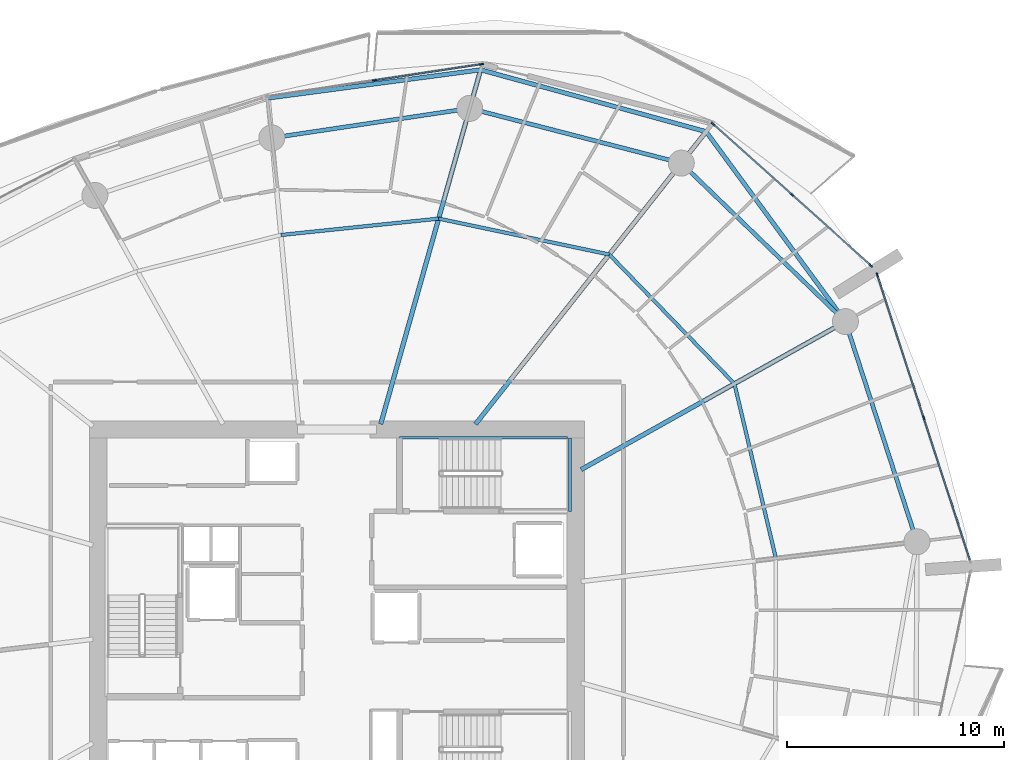
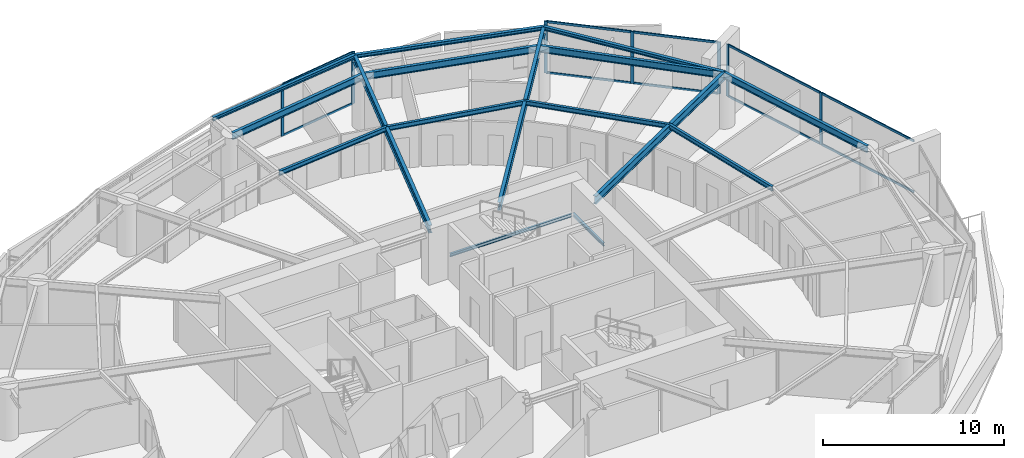
# One storey, part 9 of 23: 17 members, 16 beams, 3 elements without a shape of their own.
"""IFC4 building model written with IfcOpenShell, lengths in metres."""

from ifc_helpers import new_model, si_unit, direction, frame, origin, origin_2d, place, context, subcontext, project, spatial, rectangle, i_section, extrude, material, layer, layer_set, material_profile, profile_set, type_object, element, aggregate, save


model = new_model("IFC4")

# Units and contexts
model_context = context("Model", 3, precision=1e-05, world=origin(), true_north=direction((0.0, 1.0)))
body_context = subcontext(model_context, "Body", "Model", "MODEL_VIEW")
ifc_project = project(units=[si_unit("LENGTHUNIT", "METRE"), si_unit("AREAUNIT", "SQUARE_METRE"), si_unit("VOLUMEUNIT", "CUBIC_METRE"), si_unit("PLANEANGLEUNIT", "RADIAN"), si_unit("MASSUNIT", "GRAM", prefix="KILO")], contexts=[model_context])

# Site, building, storey
site_placement = place(None, origin())
site = spatial("IfcSite", under=ifc_project, at=site_placement, CompositionType="ELEMENT")
building_placement = place(site_placement, origin())
building = spatial("IfcBuilding", under=site, at=building_placement, Name="Kazma Halo Residences", CompositionType="ELEMENT")
storey_placement = place(building_placement, frame((0.0, 0.0, 105.14990234375)))
storey = spatial("IfcBuildingStorey", under=building, at=storey_placement, Name="L26", CompositionType="ELEMENT", Elevation=105.14990234375)

# Beams
ifc_material_1 = material(Name="Steel S355", Category="steel")
ifc_material_profile_1 = material_profile(ifc_material_1, i_section(OverallWidth=0.201904296875, OverallDepth=0.2470703125, WebThickness=0.00732421875, FlangeThickness=0.010986328125, FilletRadius=0.011962890625, at=origin_2d()), Name="W250x49.1")
ifc_profile_set_1 = profile_set([ifc_material_profile_1], Name="Steel S355")
beam_type_1 = type_object("IfcBeamType", Name="BM-BAL-CANT", PredefinedType="BEAM", material=ifc_profile_set_1)
beam_1_placement = place(storey_placement, frame((71.9033203125, 55.386474609375, 3.376708984375), z_axis=(-0.59144927253, 0.806342209005, 0.0), x_axis=(-0.806342209005, -0.59144927253, 0.0)))
element("IfcBeam", 1, at=beam_1_placement, inside=storey, type_object=beam_type_1, Name="L26 wave-balcony lead tie beam 01", PredefinedType="BEAM", context=body_context, shape_type="SweptSolid", body=[
    extrude(i_section(OverallWidth=0.201904296875, OverallDepth=0.2470703125, WebThickness=0.00732421875, FlangeThickness=0.010986328125, FilletRadius=0.011962890625, at=origin_2d()), origin(), (0.0, 0.0, 1.0), 10.87939453125),
])
beam_2_placement = place(storey_placement, frame((65.46875, 64.158935546875, 3.376708984375), z_axis=(-0.964396617, 0.264460139, 0.0), x_axis=(-0.264460139, -0.964396617, 0.0)))
element("IfcBeam", 2, at=beam_2_placement, inside=storey, type_object=beam_type_1, Name="L26 wave-balcony tie beam 02", PredefinedType="BEAM", context=body_context, shape_type="SweptSolid", body=[
    extrude(i_section(OverallWidth=0.201904296875, OverallDepth=0.2470703125, WebThickness=0.00732421875, FlangeThickness=0.010986328125, FilletRadius=0.011962890625, at=origin_2d()), origin(), (0.0, 0.0, 1.0), 10.79833984375),
])
beam_3_placement = place(storey_placement, frame((55.054931640625, 67.0146484375, 3.376708984375), z_axis=(-0.991294955884, -0.131659828494, 0.0), x_axis=(0.131659828494, -0.991294955884, 0.0)))
element("IfcBeam", 3, at=beam_3_placement, inside=storey, type_object=beam_type_1, Name="L26 wave-balcony tie beam 03", PredefinedType="BEAM", context=body_context, shape_type="SweptSolid", body=[
    extrude(i_section(OverallWidth=0.201904296875, OverallDepth=0.2470703125, WebThickness=0.00732421875, FlangeThickness=0.010986328125, FilletRadius=0.011962890625, at=origin_2d()), origin(), (0.0, 0.0, 1.0), 9.902099609375),
])
ifc_material_profile_2 = material_profile(ifc_material_1, i_section(OverallWidth=0.208984375, OverallDepth=0.532958984375, WebThickness=0.01025390625, FlangeThickness=0.015625, FilletRadius=0.01611328125, at=origin_2d()), Name="W530x92")
ifc_profile_set_2 = profile_set([ifc_material_profile_2], Name="Steel S355")
beam_type_2 = type_object("IfcBeamType", Name="BM-RAD-W530", PredefinedType="BEAM", material=ifc_profile_set_2)
beam_4_placement = place(storey_placement, frame((59.699951171875, 48.55224609375, 3.233642578125), z_axis=(0.87249559794, 0.488621972055, 0.0), x_axis=(-0.488621972055, 0.87249559794, 0.0)))
element("IfcBeam", 4, at=beam_4_placement, inside=storey, type_object=beam_type_2, Name="L26 radial floor beam 01", PredefinedType="BEAM", context=body_context, shape_type="SweptSolid", body=[
    extrude(i_section(OverallWidth=0.208984375, OverallDepth=0.532958984375, WebThickness=0.01025390625, FlangeThickness=0.015625, FilletRadius=0.01611328125, at=origin_2d()), origin(), (0.0, 0.0, 1.0), 13.98681640625),
])
beam_5_placement = place(storey_placement, frame((54.819091796875, 50.64990234375, 3.233642578125), z_axis=(0.619093774822, 0.785317068436, 0.0), x_axis=(-0.785317068436, 0.619093774822, 0.0)))
element("IfcBeam", 5, at=beam_5_placement, inside=storey, type_object=beam_type_2, Name="L26 radial floor beam 02", PredefinedType="BEAM", context=body_context, shape_type="SweptSolid", body=[
    extrude(i_section(OverallWidth=0.208984375, OverallDepth=0.532958984375, WebThickness=0.01025390625, FlangeThickness=0.015625, FilletRadius=0.01611328125, at=origin_2d()), origin(), (0.0, 0.0, 1.0), 17.201904296875),
])
beam_6_placement = place(storey_placement, frame((50.439697265625, 50.64990234375, 3.233642578125), z_axis=(0.271434928076, 0.962456793742, 0.0), x_axis=(-0.962456793742, 0.271434928076, 0.0)))
element("IfcBeam", 6, at=beam_6_placement, inside=storey, type_object=beam_type_2, Name="L26 radial floor beam 03", PredefinedType="BEAM", context=body_context, shape_type="SweptSolid", body=[
    extrude(i_section(OverallWidth=0.208984375, OverallDepth=0.532958984375, WebThickness=0.01025390625, FlangeThickness=0.015625, FilletRadius=0.01611328125, at=origin_2d()), origin(), (0.0, 0.0, 1.0), 17.003173828125),
])
ifc_material_profile_3 = material_profile(ifc_material_1, i_section(OverallWidth=0.1650390625, OverallDepth=0.31005859375, WebThickness=0.005859375, FlangeThickness=0.009765625, FilletRadius=0.011962890625, at=origin_2d()), Name="W310x38.7")
ifc_profile_set_3 = profile_set([ifc_material_profile_3], Name="Steel S355")
beam_type_3 = type_object("IfcBeamType", Name="BM-SEC-W310B", PredefinedType="JOIST", material=ifc_profile_set_3)
beam_7_placement = place(storey_placement, frame((66.77783203125, 52.51611328125, 3.34521484375), z_axis=(-0.695765378161, 0.718269126827, 0.0), x_axis=(-0.718269126827, -0.695765378161, 0.0)))
element("IfcBeam", 7, at=beam_7_placement, inside=storey, type_object=beam_type_3, Name="L26 circumferential floor joist 01", PredefinedType="JOIST", context=body_context, shape_type="SweptSolid", body=[
    extrude(i_section(OverallWidth=0.1650390625, OverallDepth=0.31005859375, WebThickness=0.005859375, FlangeThickness=0.009765625, FilletRadius=0.011962890625, at=origin_2d()), origin(), (0.0, 0.0, 1.0), 8.310302734375),
])
beam_8_placement = place(storey_placement, frame((60.995849609375, 58.485107421875, 3.34521484375), z_axis=(-0.978607976751, 0.205733876255, 0.0), x_axis=(-0.205733876255, -0.978607976751, 0.0)))
element("IfcBeam", 8, at=beam_8_placement, inside=storey, type_object=beam_type_3, Name="L26 circumferential floor joist 02", PredefinedType="JOIST", context=body_context, shape_type="SweptSolid", body=[
    extrude(i_section(OverallWidth=0.1650390625, OverallDepth=0.31005859375, WebThickness=0.005859375, FlangeThickness=0.009765625, FilletRadius=0.011962890625, at=origin_2d()), origin(), (0.0, 0.0, 1.0), 8.051513671875),
])
beam_9_placement = place(storey_placement, frame((53.116455078125, 60.1416015625, 3.34521484375), z_axis=(-0.994656912508, -0.103235780624, 0.0), x_axis=(0.103235780624, -0.994656912508, 0.0)))
element("IfcBeam", 9, at=beam_9_placement, inside=storey, type_object=beam_type_3, Name="L26 circumferential floor joist 03", PredefinedType="JOIST", context=body_context, shape_type="SweptSolid", body=[
    extrude(i_section(OverallWidth=0.1650390625, OverallDepth=0.31005859375, WebThickness=0.005859375, FlangeThickness=0.009765625, FilletRadius=0.011962890625, at=origin_2d()), origin(), (0.0, 0.0, 1.0), 7.323974609375),
])
beam_10_placement = place(storey_placement, frame((68.69384765625, 44.44921875, 3.34521484375), z_axis=(-0.231087064161, 0.972933075179, 0.0), x_axis=(-0.972933075179, -0.231087064161, 0.0)))
element("IfcBeam", 10, at=beam_10_placement, inside=storey, type_object=beam_type_3, Name="L26 circumferential floor joist 16", PredefinedType="JOIST", context=body_context, shape_type="SweptSolid", body=[
    extrude(i_section(OverallWidth=0.1650390625, OverallDepth=0.31005859375, WebThickness=0.005859375, FlangeThickness=0.009765625, FilletRadius=0.011962890625, at=origin_2d()), origin(), (0.0, 0.0, 1.0), 8.291259765625),
])
ifc_material_profile_4 = material_profile(ifc_material_1, i_section(OverallWidth=0.18994140625, OverallDepth=0.45703125, WebThickness=0.009033203125, FlangeThickness=0.014404296875, FilletRadius=0.01611328125, at=origin_2d()), Name="W460x74")
ifc_profile_set_4 = profile_set([ifc_material_profile_4], Name="Steel S355")
beam_type_4 = type_object("IfcBeamType", Name="BM-SPN-W460", PredefinedType="BEAM", material=ifc_profile_set_4)
beam_11_placement = place(storey_placement, frame((71.9033203125, 55.386474609375, 3.271484375), z_axis=(-0.719336783114, 0.694661494873, 0.0), x_axis=(-0.694661494873, -0.719336783114, 0.0)))
element("IfcBeam", 11, at=beam_11_placement, inside=storey, type_object=beam_type_4, Name="L26 perimeter ring beam 01", PredefinedType="BEAM", context=body_context, shape_type="SweptSolid", body=[
    extrude(i_section(OverallWidth=0.18994140625, OverallDepth=0.45703125, WebThickness=0.009033203125, FlangeThickness=0.014404296875, FilletRadius=0.01611328125, at=origin_2d()), origin(), (0.0, 0.0, 1.0), 10.537353515625),
])
beam_12_placement = place(storey_placement, frame((64.323486328125, 62.706298828125, 3.271484375), z_axis=(-0.968124968683, 0.250467652626, 0.0), x_axis=(-0.250467652626, -0.968124968683, 0.0)))
element("IfcBeam", 12, at=beam_12_placement, inside=storey, type_object=beam_type_4, Name="L26 perimeter ring beam 02", PredefinedType="BEAM", context=body_context, shape_type="SweptSolid", body=[
    extrude(i_section(OverallWidth=0.18994140625, OverallDepth=0.45703125, WebThickness=0.009033203125, FlangeThickness=0.014404296875, FilletRadius=0.01611328125, at=origin_2d()), origin(), (0.0, 0.0, 1.0), 10.092529296875),
])
beam_13_placement = place(storey_placement, frame((54.552734375, 65.234130859375, 3.271484375), z_axis=(-0.989034176303, -0.147686824414, 0.0), x_axis=(0.147686824414, -0.989034176303, 0.0)))
element("IfcBeam", 13, at=beam_13_placement, inside=storey, type_object=beam_type_4, Name="L26 perimeter ring beam 03", PredefinedType="BEAM", context=body_context, shape_type="SweptSolid", body=[
    extrude(i_section(OverallWidth=0.18994140625, OverallDepth=0.45703125, WebThickness=0.009033203125, FlangeThickness=0.014404296875, FilletRadius=0.01611328125, at=origin_2d()), origin(), (0.0, 0.0, 1.0), 9.242431640625),
])
beam_14_placement = place(storey_placement, frame((75.20654296875, 45.22021484375, 3.271484375), z_axis=(-0.309017385422, 0.951056389236, 0.0), x_axis=(-0.951056389236, -0.309017385422, 0.0)))
element("IfcBeam", 14, at=beam_14_placement, inside=storey, type_object=beam_type_4, Name="L26 perimeter ring beam 16", PredefinedType="BEAM", context=body_context, shape_type="SweptSolid", body=[
    extrude(i_section(OverallWidth=0.18994140625, OverallDepth=0.45703125, WebThickness=0.009033203125, FlangeThickness=0.014404296875, FilletRadius=0.01611328125, at=origin_2d()), origin(), (0.0, 0.0, 1.0), 10.689453125),
])
ifc_material_profile_5 = material_profile(ifc_material_1, i_section(OverallWidth=0.133056640625, OverallDepth=0.20703125, WebThickness=0.005859375, FlangeThickness=0.00830078125, FilletRadius=0.010009765625, at=origin_2d()), Name="W200x26.6")
ifc_profile_set_5 = profile_set([ifc_material_profile_5], Name="Steel S355")
beam_type_5 = type_object("IfcBeamType", Name="BM-TRIM-W200", PredefinedType="BEAM", material=ifc_profile_set_5)
beam_15_placement = place(storey_placement, frame((51.31005859375, 50.02001953125, 1.570068359375), z_axis=(1.0, 0.0, 0.0), x_axis=(0.0, 1.0, 0.0)))
element("IfcBeam", 15, at=beam_15_placement, inside=storey, type_object=beam_type_5, Name="L26 ST-02 landing north wall ledger", PredefinedType="BEAM", context=body_context, shape_type="SweptSolid", body=[
    extrude(i_section(OverallWidth=0.133056640625, OverallDepth=0.20703125, WebThickness=0.005859375, FlangeThickness=0.00830078125, FilletRadius=0.010009765625, at=origin_2d()), origin(), (0.0, 0.0, 1.0), 7.760009765625),
])
beam_16_placement = place(storey_placement, frame((59.18994140625, 46.6201171875, 1.570068359375), z_axis=(0.0, 1.0, 0.0), x_axis=(-1.0, 0.0, 0.0)))
element("IfcBeam", 16, at=beam_16_placement, inside=storey, type_object=beam_type_5, Name="L26 ST-02 landing end wall ledger", PredefinedType="BEAM", context=body_context, shape_type="SweptSolid", body=[
    extrude(i_section(OverallWidth=0.133056640625, OverallDepth=0.20703125, WebThickness=0.005859375, FlangeThickness=0.00830078125, FilletRadius=0.010009765625, at=origin_2d()), origin(), (0.0, 0.0, 1.0), 3.39990234375),
])

# Curtain wall, members
ifc_material_2 = material(Name="Aluminium AW-6063 T6 and Triple-Silver Low-E Glass", Category="aluminium")
ifc_layer = layer(ifc_material_2, 0.199951171875)
ifc_layer_set = layer_set([ifc_layer], Name="Aluminium AW-6063 T6 and Triple-Silver Low-E Glass")
curtain_wall_type = type_object("IfcCurtainWallType", Name="CW-SYS-3", PredefinedType="NOTDEFINED", material=ifc_layer_set)
curtain_wall_1_placement = place(storey_placement, origin())
curtain_wall_1 = element("IfcCurtainWall", 17, at=curtain_wall_1_placement, inside=storey, type_object=curtain_wall_type, Name="L26 unitised curtain wall B01", PredefinedType="NOTDEFINED")
ifc_material_3 = material(Name="Aluminium AW-6063 T6", Category="aluminium")
ifc_material_profile_6 = material_profile(ifc_material_3, rectangle(XDim=0.070068359375, YDim=0.199951171875, at=origin_2d()), Name="CWM-70x200")
ifc_profile_set_6 = profile_set([ifc_material_profile_6], Name="Aluminium AW-6063 T6")
member_type_1 = type_object("IfcMemberType", Name="CW-SYS-3-MUL", PredefinedType="MULLION", material=ifc_profile_set_6)
member_1_placement = place(storey_placement, frame((73.071044921875, 57.981201171875, 0.0), z_axis=(0.0, 0.0, 1.0), x_axis=(-0.667794957375, -0.744345279359, 0.0)))
member_1 = element("IfcMember", 18, at=member_1_placement, type_object=member_type_1, Name="CWS-3 mullion 1", PredefinedType="MULLION", context=body_context, shape_type="SweptSolid", body=[
    extrude(rectangle(XDim=0.070068359375, YDim=0.199951171875, at=origin_2d()), origin(), (0.0, 0.0, 1.0), 3.5),
])
member_2_placement = place(storey_placement, frame((69.431396484375, 61.24658203125, 0.0), z_axis=(0.0, 0.0, 1.0), x_axis=(-0.667794957375, -0.744345279359, 0.0)))
member_2 = element("IfcMember", 19, at=member_2_placement, type_object=member_type_1, Name="CWS-3 mullion 2", PredefinedType="MULLION", context=body_context, shape_type="SweptSolid", body=[
    extrude(rectangle(XDim=0.070068359375, YDim=0.199951171875, at=origin_2d()), origin(), (0.0, 0.0, 1.0), 3.5),
])
member_3_placement = place(storey_placement, frame((65.791748046875, 64.51220703125, 0.0), z_axis=(0.0, 0.0, 1.0), x_axis=(-0.667794957375, -0.744345279359, 0.0)))
member_3 = element("IfcMember", 20, at=member_3_placement, type_object=member_type_1, Name="CWS-3 mullion 3", PredefinedType="MULLION", context=body_context, shape_type="SweptSolid", body=[
    extrude(rectangle(XDim=0.070068359375, YDim=0.199951171875, at=origin_2d()), origin(), (0.0, 0.0, 1.0), 3.5),
])

curtain_wall_2_placement = place(storey_placement, origin())
curtain_wall_2 = element("IfcCurtainWall", 21, at=curtain_wall_2_placement, inside=storey, type_object=curtain_wall_type, Name="L26 unitised curtain wall B03", PredefinedType="NOTDEFINED")
member_4_placement = place(storey_placement, frame((55.09423828125, 67.271728515625, 0.0), z_axis=(0.0, 0.0, 1.0), x_axis=(0.148717330409, -0.988879747814, 0.0)))
member_4 = element("IfcMember", 22, at=member_4_placement, type_object=member_type_1, Name="CWS-3 mullion 1", PredefinedType="MULLION", context=body_context, shape_type="SweptSolid", body=[
    extrude(rectangle(XDim=0.070068359375, YDim=0.199951171875, at=origin_2d()), origin(), (0.0, 0.0, 1.0), 3.5),
])
member_5_placement = place(storey_placement, frame((50.156982421875, 66.529296875, 0.0), z_axis=(0.0, 0.0, 1.0), x_axis=(0.148717330409, -0.988879747814, 0.0)))
member_5 = element("IfcMember", 23, at=member_5_placement, type_object=member_type_1, Name="CWS-3 mullion 2", PredefinedType="MULLION", context=body_context, shape_type="SweptSolid", body=[
    extrude(rectangle(XDim=0.070068359375, YDim=0.199951171875, at=origin_2d()), origin(), (0.0, 0.0, 1.0), 3.5),
])

curtain_wall_3_placement = place(storey_placement, origin())
curtain_wall_3 = element("IfcCurtainWall", 24, at=curtain_wall_3_placement, inside=storey, type_object=curtain_wall_type, Name="L26 unitised curtain wall B16", PredefinedType="NOTDEFINED")
member_6_placement = place(storey_placement, frame((75.52099609375, 50.942138671875, 0.0), z_axis=(0.0, 0.0, 1.0), x_axis=(-0.951057722508, -0.309013282008, 0.0)))
member_6 = element("IfcMember", 25, at=member_6_placement, type_object=member_type_1, Name="CWS-3 mullion 2", PredefinedType="MULLION", context=body_context, shape_type="SweptSolid", body=[
    extrude(rectangle(XDim=0.070068359375, YDim=0.199951171875, at=origin_2d()), origin(), (0.0, 0.0, 1.0), 3.5),
])
member_7_placement = place(storey_placement, frame((73.376708984375, 57.54150390625, 0.0), z_axis=(0.0, 0.0, 1.0), x_axis=(-0.951057722508, -0.309013282008, 0.0)))
member_7 = element("IfcMember", 26, at=member_7_placement, type_object=member_type_1, Name="CWS-3 mullion 3", PredefinedType="MULLION", context=body_context, shape_type="SweptSolid", body=[
    extrude(rectangle(XDim=0.070068359375, YDim=0.199951171875, at=origin_2d()), origin(), (0.0, 0.0, 1.0), 3.5),
])

# Member
ifc_material_profile_7 = material_profile(ifc_material_3, rectangle(XDim=0.070068359375, YDim=0.14990234375, at=origin_2d()), Name="CWT-70x150")
ifc_profile_set_7 = profile_set([ifc_material_profile_7], Name="Aluminium AW-6063 T6")
member_type_2 = type_object("IfcMemberType", Name="CW-SYS-3-TRN", PredefinedType="USERDEFINED", material=ifc_profile_set_7)
member_8_placement = place(storey_placement, frame((73.045166015625, 58.004638671875, 0.03515625), z_axis=(-0.744338471453, 0.667802545603, 0.0), x_axis=(-0.667802545603, -0.744338471453, 0.0)))
member_8 = element("IfcMember", 27, at=member_8_placement, type_object=member_type_2, Name="CWS-3 transom 1.1", ObjectType="TRANSOM", PredefinedType="USERDEFINED", context=body_context, shape_type="SweptSolid", body=[
    extrude(rectangle(XDim=0.070068359375, YDim=0.14990234375, at=origin_2d()), origin(), (0.0, 0.0, 1.0), 4.81982421875),
])

member_9_placement = place(storey_placement, frame((73.045166015625, 58.004638671875, 3.465087890625), z_axis=(-0.744338471453, 0.667802545603, 0.0), x_axis=(-0.667802545603, -0.744338471453, 0.0)))
member_9 = element("IfcMember", 28, at=member_9_placement, type_object=member_type_2, Name="CWS-3 transom 1.2", ObjectType="TRANSOM", PredefinedType="USERDEFINED", context=body_context, shape_type="SweptSolid", body=[
    extrude(rectangle(XDim=0.070068359375, YDim=0.14990234375, at=origin_2d()), origin(), (0.0, 0.0, 1.0), 4.81982421875),
])

member_10_placement = place(storey_placement, frame((69.4052734375, 61.27001953125, 0.03515625), z_axis=(-0.744338471453, 0.667802545603, 0.0), x_axis=(-0.667802545603, -0.744338471453, 0.0)))
member_10 = element("IfcMember", 29, at=member_10_placement, type_object=member_type_2, Name="CWS-3 transom 2.1", ObjectType="TRANSOM", PredefinedType="USERDEFINED", context=body_context, shape_type="SweptSolid", body=[
    extrude(rectangle(XDim=0.070068359375, YDim=0.14990234375, at=origin_2d()), origin(), (0.0, 0.0, 1.0), 4.81982421875),
])

member_11_placement = place(storey_placement, frame((69.4052734375, 61.27001953125, 3.465087890625), z_axis=(-0.744338471453, 0.667802545603, 0.0), x_axis=(-0.667802545603, -0.744338471453, 0.0)))
member_11 = element("IfcMember", 30, at=member_11_placement, type_object=member_type_2, Name="CWS-3 transom 2.2", ObjectType="TRANSOM", PredefinedType="USERDEFINED", context=body_context, shape_type="SweptSolid", body=[
    extrude(rectangle(XDim=0.070068359375, YDim=0.14990234375, at=origin_2d()), origin(), (0.0, 0.0, 1.0), 4.81982421875),
])

aggregate(curtain_wall_1, [member_1, member_2, member_3, member_8, member_9, member_10, member_11])

member_12_placement = place(storey_placement, frame((55.0595703125, 67.2666015625, 0.03515625), z_axis=(-0.988876977991, -0.148735746878, 0.0), x_axis=(0.148735746878, -0.988876977991, 0.0)))
member_12 = element("IfcMember", 31, at=member_12_placement, type_object=member_type_2, Name="CWS-3 transom 1.1", ObjectType="TRANSOM", PredefinedType="USERDEFINED", context=body_context, shape_type="SweptSolid", body=[
    extrude(rectangle(XDim=0.070068359375, YDim=0.14990234375, at=origin_2d()), origin(), (0.0, 0.0, 1.0), 4.922607421875),
])

member_13_placement = place(storey_placement, frame((55.0595703125, 67.2666015625, 3.465087890625), z_axis=(-0.988876977991, -0.148735746878, 0.0), x_axis=(0.148735746878, -0.988876977991, 0.0)))
member_13 = element("IfcMember", 32, at=member_13_placement, type_object=member_type_2, Name="CWS-3 transom 1.2", ObjectType="TRANSOM", PredefinedType="USERDEFINED", context=body_context, shape_type="SweptSolid", body=[
    extrude(rectangle(XDim=0.070068359375, YDim=0.14990234375, at=origin_2d()), origin(), (0.0, 0.0, 1.0), 4.922607421875),
])

aggregate(curtain_wall_2, [member_4, member_5, member_12, member_13])

member_14_placement = place(storey_placement, frame((77.654541015625, 44.3759765625, 0.03515625), z_axis=(-0.309000079699, 0.95106201204, 0.0), x_axis=(-0.95106201204, -0.309000079699, 0.0)))
member_14 = element("IfcMember", 33, at=member_14_placement, type_object=member_type_2, Name="CWS-3 transom 1.1", ObjectType="TRANSOM", PredefinedType="USERDEFINED", context=body_context, shape_type="SweptSolid", body=[
    extrude(rectangle(XDim=0.070068359375, YDim=0.14990234375, at=origin_2d()), origin(), (0.0, 0.0, 1.0), 6.869140625),
])

member_15_placement = place(storey_placement, frame((77.654541015625, 44.3759765625, 3.465087890625), z_axis=(-0.309000079699, 0.95106201204, 0.0), x_axis=(-0.95106201204, -0.309000079699, 0.0)))
member_15 = element("IfcMember", 34, at=member_15_placement, type_object=member_type_2, Name="CWS-3 transom 1.2", ObjectType="TRANSOM", PredefinedType="USERDEFINED", context=body_context, shape_type="SweptSolid", body=[
    extrude(rectangle(XDim=0.070068359375, YDim=0.14990234375, at=origin_2d()), origin(), (0.0, 0.0, 1.0), 6.869140625),
])

member_16_placement = place(storey_placement, frame((75.51025390625, 50.975341796875, 0.03515625), z_axis=(-0.309000079699, 0.95106201204, 0.0), x_axis=(-0.95106201204, -0.309000079699, 0.0)))
member_16 = element("IfcMember", 35, at=member_16_placement, type_object=member_type_2, Name="CWS-3 transom 2.1", ObjectType="TRANSOM", PredefinedType="USERDEFINED", context=body_context, shape_type="SweptSolid", body=[
    extrude(rectangle(XDim=0.070068359375, YDim=0.14990234375, at=origin_2d()), origin(), (0.0, 0.0, 1.0), 6.869140625),
])

member_17_placement = place(storey_placement, frame((75.51025390625, 50.975341796875, 3.465087890625), z_axis=(-0.309000079699, 0.95106201204, 0.0), x_axis=(-0.95106201204, -0.309000079699, 0.0)))
member_17 = element("IfcMember", 36, at=member_17_placement, type_object=member_type_2, Name="CWS-3 transom 2.2", ObjectType="TRANSOM", PredefinedType="USERDEFINED", context=body_context, shape_type="SweptSolid", body=[
    extrude(rectangle(XDim=0.070068359375, YDim=0.14990234375, at=origin_2d()), origin(), (0.0, 0.0, 1.0), 6.869140625),
])

aggregate(curtain_wall_3, [member_6, member_7, member_14, member_15, member_16, member_17])

save(model, "model.ifc")
